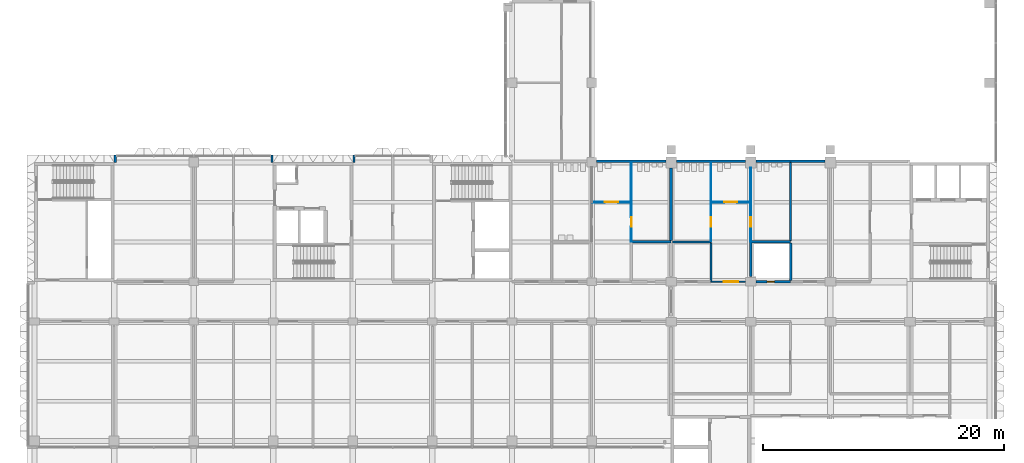
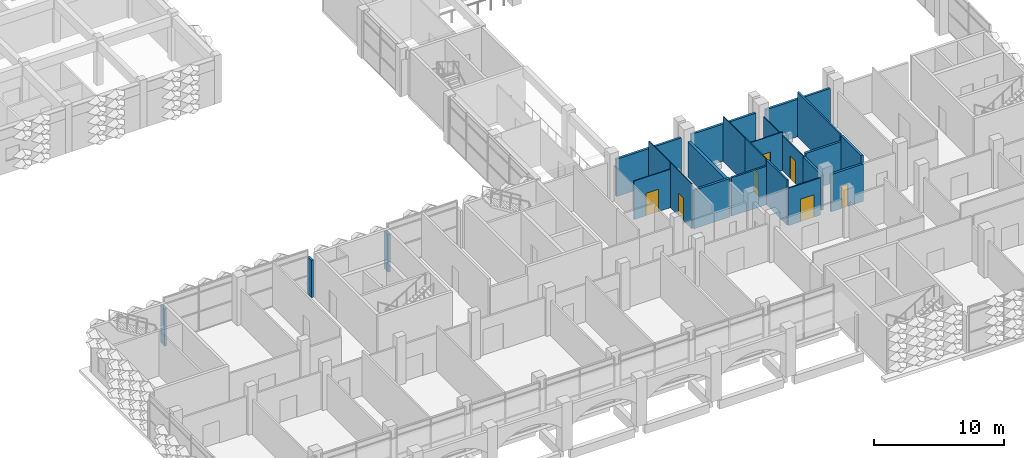
# One storey, part 29 of 87: 24 walls, 7 doors, 7 openings.
"""IFC4 building model written with IfcOpenShell, lengths in metres."""

import ifcopenshell
import ifcopenshell.guid

model = None  # the IFC model being written
_history = None  # IfcOwnerHistory: only IFC2X3 demands one
_inside = {}  # id of a spatial element -> (the spatial element, [elements in it])
_under = {}  # id of a project, library or spatial element -> (it, [spatial elements below it])
_declared = {}  # id of a project -> (the project, [libraries it declares])
_typed = {}  # id of a type object -> (the type object, [elements of that type])
_made_of = {}  # id of a material, layer set ... -> (it, [elements and type objects made of it])


def new_model(schema):
    """Start an empty IFC model of exactly this schema.

    Asked for "IFC4X3", IfcOpenShell would pick the latest addendum, in which some entities
    have other attributes; the version numbers below select the first issue.
    IFC2X3 requires an IfcOwnerHistory on every rooted entity: one is made here for all.
    """
    global model, _history
    if schema == "IFC4X3":
        model = ifcopenshell.file(schema_version=(4, 3, 0, 0))
    else:
        model = ifcopenshell.file(schema=schema)
    _inside.clear()
    _under.clear()
    _declared.clear()
    _typed.clear()
    _made_of.clear()
    _history = None
    if model.schema == "IFC2X3":
        org = make("IfcOrganization", Name="unknown")
        user = make(
            "IfcPersonAndOrganization",
            ThePerson=make("IfcPerson", FamilyName="unknown"),
            TheOrganization=org,
        )
        app = make(
            "IfcApplication",
            ApplicationDeveloper=org,
            Version="unknown",
            ApplicationFullName="unknown",
            ApplicationIdentifier="unknown",
        )
        _history = make(
            "IfcOwnerHistory",
            OwningUser=user,
            OwningApplication=app,
            ChangeAction="ADDED",
            CreationDate=0,
        )
    return model


def make(cls, **values):
    """One entity of the class cls with the attributes given. An attribute that is None is left unset."""
    return model.create_entity(
        cls, **{name: value for name, value in values.items() if value is not None}
    )


def rooted(cls, **values):
    """An entity with a GlobalId (a new one), such as an element, a storey or a relation."""
    return make(cls, GlobalId=ifcopenshell.guid.new(), OwnerHistory=_history, **values)


def si_unit(unit_type, name, prefix=None):
    """IfcSIUnit, for example si_unit("LENGTHUNIT", "METRE", prefix="MILLI")."""
    return make("IfcSIUnit", UnitType=unit_type, Prefix=prefix, Name=name)


def assignment(units):
    """IfcUnitAssignment: the units of a project."""
    return None if units is None else make("IfcUnitAssignment", Units=units)


def point(xyz):
    """IfcCartesianPoint."""
    return None if xyz is None else make("IfcCartesianPoint", Coordinates=xyz)


def direction(xyz):
    """IfcDirection."""
    return None if xyz is None else make("IfcDirection", DirectionRatios=xyz)


def frame(location, z_axis=None, x_axis=None):
    """IfcAxis2Placement3D, a coordinate frame: its origin and axes. An axis left out is left unset."""
    return make(
        "IfcAxis2Placement3D",
        Location=point(location),
        Axis=direction(z_axis),
        RefDirection=direction(x_axis),
    )


def frame_2d(location, x_axis=None):
    """IfcAxis2Placement2D, a coordinate frame in the plane: its origin and x axis."""
    return make(
        "IfcAxis2Placement2D", Location=point(location), RefDirection=direction(x_axis)
    )


def origin():
    """The frame at (0, 0, 0) with its axes left unset."""
    return frame((0.0, 0.0, 0.0))


def place(relative_to, where):
    """IfcLocalPlacement: puts the frame where relative to a parent placement (None: the world)."""
    return make(
        "IfcLocalPlacement", PlacementRelTo=relative_to, RelativePlacement=where
    )


def context(
    kind, dimensions, precision=None, world=None, true_north=None, identifier=None
):
    """IfcGeometricRepresentationContext, for example the 3D "Model" context."""
    return make(
        "IfcGeometricRepresentationContext",
        ContextIdentifier=identifier,
        ContextType=kind,
        CoordinateSpaceDimension=dimensions,
        Precision=precision,
        WorldCoordinateSystem=world,
        TrueNorth=true_north,
    )


def subcontext(parent, identifier, kind, view, scale=None):
    """IfcGeometricRepresentationSubContext, for example "Body" below "Model"."""
    return make(
        "IfcGeometricRepresentationSubContext",
        ContextIdentifier=identifier,
        ContextType=kind,
        ParentContext=parent,
        TargetScale=scale,
        TargetView=view,
    )


def project(units=None, contexts=None):
    """IfcProject with its units and contexts."""
    return rooted(
        "IfcProject",
        Name="project",
        RepresentationContexts=contexts,
        UnitsInContext=assignment(units),
    )


def spatial(cls, under=None, at=None, **own):
    """A site, building, storey or space (cls), placed at a placement, below another one or the project."""
    s = rooted(cls, ObjectPlacement=at, **own)
    if under is not None:
        _under.setdefault(under.id(), (under, []))[1].append(s)
    return s


def profile(cls, at=None, kind="AREA", **sizes):
    """A parametric profile (cls). Its sizes go by their IFC names, for example OverallWidth=200.0."""
    return make(cls, ProfileType=kind, Position=at, **sizes)


def rectangle(**sizes):
    """IfcRectangleProfileDef."""
    return profile("IfcRectangleProfileDef", **sizes)


def extrude(swept, where, along, depth):
    """IfcExtrudedAreaSolid: the profile swept, set in the frame where, extruded along a direction by depth."""
    return make(
        "IfcExtrudedAreaSolid",
        SweptArea=swept,
        Position=where,
        ExtrudedDirection=direction(along),
        Depth=depth,
    )


def shape(context_of_items, identifier, shape_type, items):
    """IfcShapeRepresentation: the items that make up one representation, for example the "Body"."""
    return make(
        "IfcShapeRepresentation",
        ContextOfItems=context_of_items,
        RepresentationIdentifier=identifier,
        RepresentationType=shape_type,
        Items=items,
    )


def material(Name=None, Category=None):
    """IfcMaterial."""
    return make("IfcMaterial", Name=Name, Category=Category)


def layer(
    of_material, thickness, ventilated=None, Name=None, Category=None, Priority=None
):
    """IfcMaterialLayer: one layer of a wall or slab, of a material (None: an air gap)."""
    return make(
        "IfcMaterialLayer",
        Material=of_material,
        LayerThickness=thickness,
        IsVentilated=ventilated,
        Name=Name,
        Category=Category,
        Priority=Priority,
    )


def layer_set(layers, Name=None):
    """IfcMaterialLayerSet."""
    return make("IfcMaterialLayerSet", MaterialLayers=layers, LayerSetName=Name)


def made_of(thing, what):
    """Note that an element or type object is made of a material, layer set ...; save() writes the relation."""
    if what is not None:
        _made_of.setdefault(what.id(), (what, []))[1].append(thing)
    return thing


def type_object(cls, material=None, **own):
    """A type object (cls), such as IfcWallType, which elements share."""
    return made_of(rooted(cls, **own), material)


def element(
    cls,
    number,
    at=None,
    inside=None,
    cuts=None,
    type_object=None,
    material=None,
    context=None,
    identifier="Body",
    shape_type=None,
    held_by="IfcProductDefinitionShape",
    body=None,
    shapes=None,
    **own,
):
    """One element of the class cls, such as IfcWall. Its Tag is "e" and its number.

    at: its placement. inside: the storey or other place that contains it. cuts: it is an
    opening in that element (IfcRelVoidsElement). A single representation is given by context,
    identifier, shape_type and body (its items); several are given by shapes. held_by: the class
    of the entity that holds the representations. save() writes the other relations.
    """
    e = rooted(cls, Tag="e%d" % number, ObjectPlacement=at, **own)
    if body is not None:
        shapes = [shape(context, identifier, shape_type, body)]
    if shapes is not None:
        e.Representation = make(held_by, Representations=shapes)
    if inside is not None:
        _inside.setdefault(inside.id(), (inside, []))[1].append(e)
    if cuts is not None:
        rooted(
            "IfcRelVoidsElement", RelatingBuildingElement=cuts, RelatedOpeningElement=e
        )
    if type_object is not None:
        _typed.setdefault(type_object.id(), (type_object, []))[1].append(e)
    return made_of(e, material)


def fill(opening, filler):
    """IfcRelFillsElement: the door or window that sits in an opening."""
    return rooted(
        "IfcRelFillsElement",
        RelatingOpeningElement=opening,
        RelatedBuildingElement=filler,
    )


def aggregate(whole, parts):
    """IfcRelAggregates: a whole, such as a stair, and the parts it consists of."""
    return rooted("IfcRelAggregates", RelatingObject=whole, RelatedObjects=parts)


def save(model, path):
    """Write the relations noted so far, then the file.

    IfcRelAggregates (storeys below a building ...), IfcRelContainedInSpatialStructure (elements
    in a storey), IfcRelDefinesByType, IfcRelAssociatesMaterial and IfcRelDeclares: one each for
    every whole, place, type object, material and project.
    """
    for whole, parts in _under.values():
        aggregate(whole, parts)
    for where, things in _inside.values():
        rooted(
            "IfcRelContainedInSpatialStructure",
            RelatedElements=things,
            RelatingStructure=where,
        )
    for kind, things in _typed.values():
        rooted("IfcRelDefinesByType", RelatedObjects=things, RelatingType=kind)
    for what, things in _made_of.values():
        rooted("IfcRelAssociatesMaterial", RelatedObjects=things, RelatingMaterial=what)
    for by, libraries in _declared.values():
        rooted("IfcRelDeclares", RelatingContext=by, RelatedDefinitions=libraries)
    model.write(path)


model = new_model("IFC4")

# Units and contexts
model_context = context("Model", 3, precision=1e-05, world=origin(), true_north=direction((0.0, 1.0)))
body_context = subcontext(model_context, "Body", "Model", "MODEL_VIEW")
ifc_project = project(units=[si_unit("LENGTHUNIT", "METRE"), si_unit("AREAUNIT", "SQUARE_METRE"), si_unit("VOLUMEUNIT", "CUBIC_METRE"), si_unit("PLANEANGLEUNIT", "RADIAN"), si_unit("MASSUNIT", "GRAM", prefix="KILO")], contexts=[model_context])

# Site, building, storey
site_placement = place(None, origin())
site = spatial("IfcSite", under=ifc_project, at=site_placement, CompositionType="ELEMENT")
building_placement = place(site_placement, origin())
building = spatial("IfcBuilding", under=site, at=building_placement, Name="Lantern Court Research Institute", CompositionType="ELEMENT")
storey_placement = place(building_placement, frame((0.0, 0.0, 5.39990234375)))
storey = spatial("IfcBuildingStorey", under=building, at=storey_placement, Name="L01", CompositionType="ELEMENT", Elevation=5.39990234375)

# Wall
ifc_material_1 = material(Name="Fire-rated gypsum board partition, mineral wool filled")
ifc_layer_1 = layer(ifc_material_1, 0.199951171875)
ifc_layer_set_1 = layer_set([ifc_layer_1], Name="Fire-rated gypsum board partition, mineral wool filled")
wall_type_1 = type_object("IfcWallType", Name="Compartment wall 200 EI 120", PredefinedType="PARTITIONING", material=ifc_layer_set_1)
wall_1_placement = place(storey_placement, frame((52.800048828125, 16.5, 0.0), z_axis=(0.0, 0.0, 1.0), x_axis=(-1.0, 0.0, 0.0)))
element("IfcWall", 1, at=wall_1_placement, inside=storey, type_object=wall_type_1, Name="Compartment wall 200 EI 120", PredefinedType="PARTITIONING", context=body_context, shape_type="SweptSolid", body=[
    extrude(rectangle(XDim=3.199951171875, YDim=0.199951171875, at=frame_2d((1.60009765625, 0.0))), origin(), (0.0, 0.0, 1.0), 3.60009765625),
])

# Wall, opening, door
wall_2_placement = place(storey_placement, frame((59.85009765625, 13.199951171875, 0.0), z_axis=(0.0, 0.0, 1.0), x_axis=(1.0, 0.0, 0.0)))
wall_2 = element("IfcWall", 2, at=wall_2_placement, inside=storey, type_object=wall_type_1, Name="Compartment wall 200 EI 120", PredefinedType="PARTITIONING", context=body_context, shape_type="SweptSolid", body=[
    extrude(rectangle(XDim=2.849853515625, YDim=0.199951171875, at=frame_2d((1.4248046875, 0.0))), origin(), (0.0, 0.0, 1.0), 3.5),
])
opening_1_placement = place(wall_2_placement, frame((0.89990234375, 0.0, 0.0)))
opening_1 = element("IfcOpeningElement", 3, at=opening_1_placement, cuts=wall_2, Name="Opening D5105", PredefinedType="OPENING", context=body_context, shape_type="SweptSolid", body=[
    extrude(rectangle(XDim=0.60009765625, YDim=2.10009765625, at=frame_2d((0.300048828125, 1.050048828125))), frame((0.0, 0.10986328125, 0.0), z_axis=(0.0, -1.0, 0.0), x_axis=(1.0, 0.0, 0.0)), (0.0, 0.0, 1.0), 0.219970703125),
])
ifc_material_2 = material(Name="Solid-core timber door leaf", Category="wood")
ifc_layer_2 = layer(ifc_material_2, 0.06005859375)
ifc_layer_set_2 = layer_set([ifc_layer_2], Name="Solid-core timber door leaf")
door_type_1 = type_object("IfcDoorType", Name="Service riser door 600 x 2100 single FD60", OperationType="NOTDEFINED", PredefinedType="DOOR", material=ifc_layer_set_2)
door_1_placement = place(opening_1_placement, origin())
door_1 = element("IfcDoor", 4, at=door_1_placement, inside=storey, type_object=door_type_1, Name="Door D5105", OperationType="SINGLE_SWING_RIGHT", OverallHeight=2.10009765625, OverallWidth=0.60009765625, PredefinedType="DOOR", context=body_context, shape_type="SweptSolid", body=[
    extrude(rectangle(XDim=0.60009765625, YDim=2.10009765625, at=frame_2d((0.300048828125, 1.050048828125))), frame((0.0, 0.030029296875, 0.0), z_axis=(0.0, -1.0, 0.0), x_axis=(1.0, 0.0, 0.0)), (0.0, 0.0, 1.0), 0.06005859375),
])
fill(opening_1, door_1)

# Walls
wall_3_placement = place(storey_placement, frame((59.39990234375, 13.64990234375, 0.0), z_axis=(0.0, 0.0, 1.0), x_axis=(0.0, 1.0, 0.0)))
element("IfcWall", 5, at=wall_3_placement, inside=storey, type_object=wall_type_1, Name="Compartment wall 200 EI 120", PredefinedType="PARTITIONING", context=body_context, shape_type="SweptSolid", body=[
    extrude(rectangle(XDim=2.85009765625, YDim=0.199951171875, at=frame_2d((1.425048828125, 0.0))), origin(), (0.0, 0.0, 1.0), 3.300048828125),
])
wall_4_placement = place(storey_placement, frame((62.699951171875, 16.5, 0.0), z_axis=(0.0, 0.0, 1.0), x_axis=(-1.0, 0.0, 0.0)))
element("IfcWall", 6, at=wall_4_placement, inside=storey, type_object=wall_type_1, Name="Compartment wall 200 EI 120", PredefinedType="PARTITIONING", context=body_context, shape_type="SweptSolid", body=[
    extrude(rectangle(XDim=3.199951171875, YDim=0.199951171875, at=frame_2d((1.60009765625, 0.0))), origin(), (0.0, 0.0, 1.0), 3.60009765625),
])
wall_5_placement = place(storey_placement, frame((62.699951171875, 13.300048828125, 0.0), z_axis=(0.0, 0.0, 1.0), x_axis=(0.0, 1.0, 0.0)))
element("IfcWall", 7, at=wall_5_placement, inside=storey, type_object=wall_type_1, Name="Compartment wall 200 EI 120", PredefinedType="PARTITIONING", context=body_context, shape_type="SweptSolid", body=[
    extrude(rectangle(XDim=3.099853515625, YDim=0.199951171875, at=frame_2d((1.5498046875, 0.0))), origin(), (0.0, 0.0, 1.0), 4.2001953125),
])
ifc_material_3 = material(Name="Fire-rated gypsum board partition, mineral wool filled")
ifc_layer_3 = layer(ifc_material_3, 0.14990234375)
ifc_layer_set_3 = layer_set([ifc_layer_3], Name="Fire-rated gypsum board partition, mineral wool filled")
wall_type_2 = type_object("IfcWallType", Name="Laboratory partition 150 EI 60", PredefinedType="PARTITIONING", material=ifc_layer_set_3)
wall_6_placement = place(storey_placement, frame((56.10009765625, 16.5, 0.0), z_axis=(0.0, 0.0, 1.0), x_axis=(-1.0, 0.0, 0.0)))
element("IfcWall", 8, at=wall_6_placement, inside=storey, type_object=wall_type_2, Name="Laboratory partition 150 EI 60", PredefinedType="PARTITIONING", context=body_context, shape_type="SweptSolid", body=[
    extrude(rectangle(XDim=3.175048828125, YDim=0.14990234375, at=frame_2d((1.58740234375, 0.0))), origin(), (0.0, 0.0, 1.0), 3.60009765625),
])
wall_7_placement = place(storey_placement, frame((56.10009765625, 13.27490234375, 0.0), z_axis=(0.0, 0.0, 1.0), x_axis=(0.0, 1.0, 0.0)))
element("IfcWall", 9, at=wall_7_placement, inside=storey, type_object=wall_type_2, Name="Laboratory partition 150 EI 60", PredefinedType="PARTITIONING", context=body_context, shape_type="SweptSolid", body=[
    extrude(rectangle(XDim=3.150146484375, YDim=0.14990234375, at=frame_2d((1.5751953125, 0.0))), origin(), (0.0, 0.0, 1.0), 4.2001953125),
])
wall_8_placement = place(storey_placement, frame((62.699951171875, 16.60009765625, 0.0), z_axis=(0.0, 0.0, 1.0), x_axis=(0.0, 1.0, 0.0)))
element("IfcWall", 10, at=wall_8_placement, inside=storey, type_object=wall_type_2, Name="Laboratory partition 150 EI 60", PredefinedType="PARTITIONING", context=body_context, shape_type="SweptSolid", body=[
    extrude(rectangle(XDim=6.5, YDim=0.14990234375, at=frame_2d((3.25, 0.0))), origin(), (0.0, 0.0, 1.0), 4.2001953125),
])

# Wall, opening, door
ifc_material_4 = material(Name="Gypsum board partition, mineral wool filled")
ifc_layer_4 = layer(ifc_material_4, 0.10009765625)
ifc_layer_set_4 = layer_set([ifc_layer_4], Name="Gypsum board partition, mineral wool filled")
wall_type_3 = type_object("IfcWallType", Name="Partition 100", PredefinedType="PARTITIONING", material=ifc_layer_set_4)
wall_9_placement = place(storey_placement, frame((56.10009765625, 13.199951171875, 0.0), z_axis=(0.0, 0.0, 1.0), x_axis=(1.0, 0.0, 0.0)))
wall_9 = element("IfcWall", 11, at=wall_9_placement, inside=storey, type_object=wall_type_3, Name="Partition 100", PredefinedType="PARTITIONING", context=body_context, shape_type="SweptSolid", body=[
    extrude(rectangle(XDim=2.849853515625, YDim=0.10009765625, at=frame_2d((1.4248046875, 0.0))), origin(), (0.0, 0.0, 1.0), 3.5),
])
opening_2_placement = place(wall_9_placement, frame((1.050048828125, 0.0, 0.0)))
opening_2 = element("IfcOpeningElement", 12, at=opening_2_placement, cuts=wall_9, Name="Opening D5103", PredefinedType="OPENING", context=body_context, shape_type="SweptSolid", body=[
    extrude(rectangle(XDim=1.199951171875, YDim=2.10009765625, at=frame_2d((0.60009765625, 1.050048828125))), frame((0.0, 0.06005859375, 0.0), z_axis=(0.0, -1.0, 0.0), x_axis=(1.0, 0.0, 0.0)), (0.0, 0.0, 1.0), 0.1201171875),
])
ifc_material_5 = material(Name="Solid-core timber door leaf", Category="wood")
ifc_layer_5 = layer(ifc_material_5, 0.0439453125)
ifc_layer_set_5 = layer_set([ifc_layer_5], Name="Solid-core timber door leaf")
door_type_2 = type_object("IfcDoorType", Name="WC vestibule door 1200 x 2100 single NOT RATED", OperationType="NOTDEFINED", PredefinedType="DOOR", material=ifc_layer_set_5)
door_2_placement = place(opening_2_placement, origin())
door_2 = element("IfcDoor", 13, at=door_2_placement, inside=storey, type_object=door_type_2, Name="Door D5103", OperationType="SINGLE_SWING_RIGHT", OverallHeight=2.10009765625, OverallWidth=1.199951171875, PredefinedType="DOOR", context=body_context, shape_type="SweptSolid", body=[
    extrude(rectangle(XDim=1.199951171875, YDim=2.10009765625, at=frame_2d((0.60009765625, 1.050048828125))), frame((0.0, 0.02197265625, 0.0), z_axis=(0.0, -1.0, 0.0), x_axis=(1.0, 0.0, 0.0)), (0.0, 0.0, 1.0), 0.0439453125),
])
fill(opening_2, door_2)

# Walls
ifc_material_6 = material(Name="Fire-rated blockwork", Category="masonry")
ifc_layer_6 = layer(ifc_material_6, 0.199951171875)
ifc_layer_set_6 = layer_set([ifc_layer_6], Name="Fire-rated blockwork")
wall_type_4 = type_object("IfcWallType", Name="Party wall 200 mm EI 120", PredefinedType="PARTITIONING", material=ifc_layer_set_6)
wall_10_placement = place(storey_placement, frame((46.60009765625, 23.199951171875, 0.0), z_axis=(0.0, 0.0, 1.0), x_axis=(1.0, 0.0, 0.0)))
element("IfcWall", 14, at=wall_10_placement, inside=storey, type_object=wall_type_4, Name="Wall V2-L01-002", PredefinedType="PARTITIONING", context=body_context, shape_type="SweptSolid", body=[
    extrude(rectangle(XDim=5.75, YDim=0.199951171875, at=frame_2d((2.875, 0.0))), origin(), (0.0, 0.0, 1.0), 3.5),
])
for number, where, z_axis, x_axis, name in (
    (15, (53.25, 23.199951171875, 0.0), (0.0, 0.0, 1.0), (1.0, 0.0, 0.0), "Wall V2-L01-003"),
    (16, (59.85009765625, 23.199951171875, 0.0), (0.0, 0.0, 1.0), (1.0, 0.0, 0.0), "Wall V2-L01-004"),
):
    element("IfcWall", number, at=place(storey_placement, frame(where, z_axis=z_axis, x_axis=x_axis)), inside=storey, type_object=wall_type_4, Name=name, PredefinedType="PARTITIONING", context=body_context, shape_type="SweptSolid", body=[
        extrude(rectangle(XDim=5.699951171875, YDim=0.199951171875, at=frame_2d((2.85009765625, 0.0))), origin(), (0.0, 0.0, 1.0), 3.5),
    ])
ifc_material_7 = material(Name="Fire-rated gypsum board partition, double stud, mineral wool filled")
ifc_layer_7 = layer(ifc_material_7, 0.25)
ifc_layer_set_7 = layer_set([ifc_layer_7], Name="Fire-rated gypsum board partition, double stud, mineral wool filled")
wall_type_5 = type_object("IfcWallType", Name="Plant compartment wall 250 EI 120", PredefinedType="PARTITIONING", material=ifc_layer_set_7)
wall_11_placement = place(storey_placement, frame((52.800048828125, 16.60009765625, 0.0), z_axis=(0.0, 0.0, 1.0), x_axis=(0.0, 1.0, 0.0)))
element("IfcWall", 17, at=wall_11_placement, inside=storey, type_object=wall_type_5, Name="Plant compartment wall 250 EI 120", PredefinedType="PARTITIONING", context=body_context, shape_type="SweptSolid", body=[
    extrude(rectangle(XDim=6.0498046875, YDim=0.25, at=frame_2d((3.02490234375, 0.0))), origin(), (0.0, 0.0, 1.0), 3.300048828125),
])
ifc_material_8 = material(Name="Concrete C40/50", Category="concrete")
ifc_layer_8 = layer(ifc_material_8, 0.199951171875)
ifc_layer_set_8 = layer_set([ifc_layer_8], Name="Concrete C40/50")
wall_type_6 = type_object("IfcWallType", Name="Return wall 200 concrete EI 120 aluminium faced", PredefinedType="STANDARD", material=ifc_layer_set_8)
for number, where, z_axis, x_axis, name in (
    (18, (6.699951171875, 23.10009765625, 0.0), (0.0, 0.0, 1.0), (0.0, 1.0, 0.0), "Core return wall 14"),
    (19, (19.699951171875, 23.10009765625, 0.0), (0.0, 0.0, 1.0), (0.0, 1.0, 0.0), "Core return wall 15"),
    (20, (26.5, 23.10009765625, 0.0), (0.0, 0.0, 1.0), (0.0, 1.0, 0.0), "Core return wall 16"),
):
    element("IfcWall", number, at=place(storey_placement, frame(where, z_axis=z_axis, x_axis=x_axis)), inside=storey, type_object=wall_type_6, Name=name, PredefinedType="STANDARD", context=body_context, shape_type="SweptSolid", body=[
        extrude(rectangle(XDim=0.599853515625, YDim=0.199951171875, at=frame_2d((0.2998046875, 0.0))), origin(), (0.0, 0.0, 1.0), 3.5),
    ])

# Wall, opening, door
ifc_material_9 = material(Name="Gypsum board partition, mineral wool filled")
ifc_layer_9 = layer(ifc_material_9, 0.074951171875)
ifc_layer_set_9 = layer_set([ifc_layer_9], Name="Gypsum board partition, mineral wool filled")
wall_type_7 = type_object("IfcWallType", Name="Wet room partition 75", PredefinedType="PARTITIONING", material=ifc_layer_set_9)
wall_12_placement = place(storey_placement, frame((46.237548828125, 19.800048828125, 0.0), z_axis=(0.0, 0.0, 1.0), x_axis=(1.0, 0.0, 0.0)))
wall_12 = element("IfcWall", 21, at=wall_12_placement, inside=storey, type_object=wall_type_7, Name="Wet room partition 75", PredefinedType="PARTITIONING", context=body_context, shape_type="SweptSolid", body=[
    extrude(rectangle(XDim=3.262451171875, YDim=0.074951171875, at=frame_2d((1.63134765625, 0.0))), origin(), (0.0, 0.0, 1.0), 3.60009765625),
])
opening_3_placement = place(wall_12_placement, frame((1.0625, 0.0, 0.0)))
opening_3 = element("IfcOpeningElement", 22, at=opening_3_placement, cuts=wall_12, Name="Opening D4109", PredefinedType="OPENING", context=body_context, shape_type="SweptSolid", body=[
    extrude(rectangle(XDim=1.10009765625, YDim=2.10009765625, at=frame_2d((0.550048828125, 1.050048828125))), frame((0.0, 0.04736328125, 0.0), z_axis=(0.0, -1.0, 0.0), x_axis=(1.0, 0.0, 0.0)), (0.0, 0.0, 1.0), 0.094970703125),
])
ifc_material_10 = material(Name="Solid-core timber door leaf", Category="wood")
ifc_layer_10 = layer(ifc_material_10, 0.0439453125)
ifc_layer_set_10 = layer_set([ifc_layer_10], Name="Solid-core timber door leaf")
door_type_3 = type_object("IfcDoorType", Name="Accessible WC door 1100 x 2100 single NOT RATED", OperationType="NOTDEFINED", PredefinedType="DOOR", material=ifc_layer_set_10)
door_3_placement = place(opening_3_placement, origin())
door_3 = element("IfcDoor", 23, at=door_3_placement, inside=storey, type_object=door_type_3, Name="Door D4109", OperationType="SINGLE_SWING_RIGHT", OverallHeight=2.10009765625, OverallWidth=1.10009765625, PredefinedType="DOOR", context=body_context, shape_type="SweptSolid", body=[
    extrude(rectangle(XDim=1.10009765625, YDim=2.10009765625, at=frame_2d((0.550048828125, 1.050048828125))), frame((0.0, 0.02197265625, 0.0), z_axis=(0.0, -1.0, 0.0), x_axis=(1.0, 0.0, 0.0)), (0.0, 0.0, 1.0), 0.0439453125),
])
fill(opening_3, door_3)

wall_13_placement = place(storey_placement, frame((49.5, 19.762451171875, 0.0), z_axis=(0.0, 0.0, 1.0), x_axis=(0.0, -1.0, 0.0)))
wall_13 = element("IfcWall", 24, at=wall_13_placement, inside=storey, type_object=wall_type_7, Name="Wet room partition 75", PredefinedType="PARTITIONING", context=body_context, shape_type="SweptSolid", body=[
    extrude(rectangle(XDim=3.262451171875, YDim=0.074951171875, at=frame_2d((1.63134765625, 0.0))), origin(), (0.0, 0.0, 1.0), 4.2001953125),
])
opening_4_placement = place(wall_13_placement, frame((1.21240234375, 0.0, 0.0)))
opening_4 = element("IfcOpeningElement", 25, at=opening_4_placement, cuts=wall_13, Name="Opening D4111", PredefinedType="OPENING", context=body_context, shape_type="SweptSolid", body=[
    extrude(rectangle(XDim=0.800048828125, YDim=2.10009765625, at=frame_2d((0.39990234375, 1.050048828125))), frame((0.0, 0.04736328125, 0.0), z_axis=(0.0, -1.0, 0.0), x_axis=(1.0, 0.0, 0.0)), (0.0, 0.0, 1.0), 0.094970703125),
])
ifc_material_11 = material(Name="Solid-core timber door leaf", Category="wood")
ifc_layer_11 = layer(ifc_material_11, 0.0439453125)
ifc_layer_set_11 = layer_set([ifc_layer_11], Name="Solid-core timber door leaf")
door_type_4 = type_object("IfcDoorType", Name="WC door 800 x 2100 single NOT RATED", OperationType="NOTDEFINED", PredefinedType="DOOR", material=ifc_layer_set_11)
door_4_placement = place(opening_4_placement, origin())
door_4 = element("IfcDoor", 26, at=door_4_placement, inside=storey, type_object=door_type_4, Name="Door D4111", OperationType="SINGLE_SWING_RIGHT", OverallHeight=2.10009765625, OverallWidth=0.800048828125, PredefinedType="DOOR", context=body_context, shape_type="SweptSolid", body=[
    extrude(rectangle(XDim=0.800048828125, YDim=2.10009765625, at=frame_2d((0.39990234375, 1.050048828125))), frame((0.0, 0.02197265625, 0.0), z_axis=(0.0, -1.0, 0.0), x_axis=(1.0, 0.0, 0.0)), (0.0, 0.0, 1.0), 0.0439453125),
])
fill(opening_4, door_4)

# Wall
wall_14_placement = place(storey_placement, frame((49.5, 19.83740234375, 0.0), z_axis=(0.0, 0.0, 1.0), x_axis=(0.0, 1.0, 0.0)))
element("IfcWall", 27, at=wall_14_placement, inside=storey, type_object=wall_type_7, Name="Wet room partition 75", PredefinedType="PARTITIONING", context=body_context, shape_type="SweptSolid", body=[
    extrude(rectangle(XDim=3.2626953125, YDim=0.074951171875, at=frame_2d((1.63134765625, 0.0))), origin(), (0.0, 0.0, 1.0), 4.2001953125),
])

# Wall, opening, door
wall_15_placement = place(storey_placement, frame((56.10009765625, 16.574951171875, 0.0), z_axis=(0.0, 0.0, 1.0), x_axis=(0.0, 1.0, 0.0)))
wall_15 = element("IfcWall", 28, at=wall_15_placement, inside=storey, type_object=wall_type_7, Name="Wet room partition 75", PredefinedType="PARTITIONING", context=body_context, shape_type="SweptSolid", body=[
    extrude(rectangle(XDim=3.22509765625, YDim=0.074951171875, at=frame_2d((1.612548828125, 0.0))), origin(), (0.0, 0.0, 1.0), 4.2001953125),
])
opening_5_placement = place(wall_15_placement, frame((1.175048828125, 0.0, 0.0)))
opening_5 = element("IfcOpeningElement", 29, at=opening_5_placement, cuts=wall_15, Name="Opening D5102", PredefinedType="OPENING", context=body_context, shape_type="SweptSolid", body=[
    extrude(rectangle(XDim=0.800048828125, YDim=2.10009765625, at=frame_2d((0.39990234375, 1.050048828125))), frame((0.0, 0.04736328125, 0.0), z_axis=(0.0, -1.0, 0.0), x_axis=(1.0, 0.0, 0.0)), (0.0, 0.0, 1.0), 0.094970703125),
])
door_5_placement = place(opening_5_placement, origin())
door_5 = element("IfcDoor", 30, at=door_5_placement, inside=storey, type_object=door_type_4, Name="Door D5102", OperationType="SINGLE_SWING_LEFT", OverallHeight=2.10009765625, OverallWidth=0.800048828125, PredefinedType="DOOR", context=body_context, shape_type="SweptSolid", body=[
    extrude(rectangle(XDim=0.800048828125, YDim=2.10009765625, at=frame_2d((0.39990234375, 1.050048828125))), frame((0.0, 0.02197265625, 0.0), z_axis=(0.0, -1.0, 0.0), x_axis=(1.0, 0.0, 0.0)), (0.0, 0.0, 1.0), 0.0439453125),
])
fill(opening_5, door_5)

# Wall
wall_16_placement = place(storey_placement, frame((56.10009765625, 19.800048828125, 0.0), z_axis=(0.0, 0.0, 1.0), x_axis=(0.0, 1.0, 0.0)))
element("IfcWall", 31, at=wall_16_placement, inside=storey, type_object=wall_type_7, Name="Wet room partition 75", PredefinedType="PARTITIONING", context=body_context, shape_type="SweptSolid", body=[
    extrude(rectangle(XDim=3.300048828125, YDim=0.074951171875, at=frame_2d((1.64990234375, 0.0))), origin(), (0.0, 0.0, 1.0), 4.2001953125),
])

# Wall, opening, door
wall_17_placement = place(storey_placement, frame((56.137451171875, 19.800048828125, 0.0), z_axis=(0.0, 0.0, 1.0), x_axis=(1.0, 0.0, 0.0)))
wall_17 = element("IfcWall", 32, at=wall_17_placement, inside=storey, type_object=wall_type_7, Name="Wet room partition 75", PredefinedType="PARTITIONING", context=body_context, shape_type="SweptSolid", body=[
    extrude(rectangle(XDim=3.262451171875, YDim=0.074951171875, at=frame_2d((1.63134765625, 0.0))), origin(), (0.0, 0.0, 1.0), 3.60009765625),
])
opening_6_placement = place(wall_17_placement, frame((1.0625, 0.0, 0.0)))
opening_6 = element("IfcOpeningElement", 33, at=opening_6_placement, cuts=wall_17, Name="Opening D5104", PredefinedType="OPENING", context=body_context, shape_type="SweptSolid", body=[
    extrude(rectangle(XDim=1.10009765625, YDim=2.10009765625, at=frame_2d((0.550048828125, 1.050048828125))), frame((0.0, 0.04736328125, 0.0), z_axis=(0.0, -1.0, 0.0), x_axis=(1.0, 0.0, 0.0)), (0.0, 0.0, 1.0), 0.094970703125),
])
door_6_placement = place(opening_6_placement, origin())
door_6 = element("IfcDoor", 34, at=door_6_placement, inside=storey, type_object=door_type_3, Name="Door D5104", OperationType="SINGLE_SWING_RIGHT", OverallHeight=2.10009765625, OverallWidth=1.10009765625, PredefinedType="DOOR", context=body_context, shape_type="SweptSolid", body=[
    extrude(rectangle(XDim=1.10009765625, YDim=2.10009765625, at=frame_2d((0.550048828125, 1.050048828125))), frame((0.0, 0.02197265625, 0.0), z_axis=(0.0, -1.0, 0.0), x_axis=(1.0, 0.0, 0.0)), (0.0, 0.0, 1.0), 0.0439453125),
])
fill(opening_6, door_6)

wall_18_placement = place(storey_placement, frame((59.39990234375, 19.762451171875, 0.0), z_axis=(0.0, 0.0, 1.0), x_axis=(0.0, -1.0, 0.0)))
wall_18 = element("IfcWall", 35, at=wall_18_placement, inside=storey, type_object=wall_type_7, Name="Wet room partition 75", PredefinedType="PARTITIONING", context=body_context, shape_type="SweptSolid", body=[
    extrude(rectangle(XDim=3.262451171875, YDim=0.074951171875, at=frame_2d((1.63134765625, 0.0))), origin(), (0.0, 0.0, 1.0), 3.300048828125),
])
opening_7_placement = place(wall_18_placement, frame((1.21240234375, 0.0, 0.0)))
opening_7 = element("IfcOpeningElement", 36, at=opening_7_placement, cuts=wall_18, Name="Opening D5106", PredefinedType="OPENING", context=body_context, shape_type="SweptSolid", body=[
    extrude(rectangle(XDim=0.800048828125, YDim=2.10009765625, at=frame_2d((0.39990234375, 1.050048828125))), frame((0.0, 0.04736328125, 0.0), z_axis=(0.0, -1.0, 0.0), x_axis=(1.0, 0.0, 0.0)), (0.0, 0.0, 1.0), 0.094970703125),
])
door_7_placement = place(opening_7_placement, origin())
door_7 = element("IfcDoor", 37, at=door_7_placement, inside=storey, type_object=door_type_4, Name="Door D5106", OperationType="SINGLE_SWING_RIGHT", OverallHeight=2.10009765625, OverallWidth=0.800048828125, PredefinedType="DOOR", context=body_context, shape_type="SweptSolid", body=[
    extrude(rectangle(XDim=0.800048828125, YDim=2.10009765625, at=frame_2d((0.39990234375, 1.050048828125))), frame((0.0, 0.02197265625, 0.0), z_axis=(0.0, -1.0, 0.0), x_axis=(1.0, 0.0, 0.0)), (0.0, 0.0, 1.0), 0.0439453125),
])
fill(opening_7, door_7)

# Wall
wall_19_placement = place(storey_placement, frame((59.39990234375, 19.83740234375, 0.0), z_axis=(0.0, 0.0, 1.0), x_axis=(0.0, 1.0, 0.0)))
element("IfcWall", 38, at=wall_19_placement, inside=storey, type_object=wall_type_7, Name="Wet room partition 75", PredefinedType="PARTITIONING", context=body_context, shape_type="SweptSolid", body=[
    extrude(rectangle(XDim=2.8125, YDim=0.074951171875, at=frame_2d((1.40625, 0.0))), origin(), (0.0, 0.0, 1.0), 3.300048828125),
])

save(model, "model.ifc")
